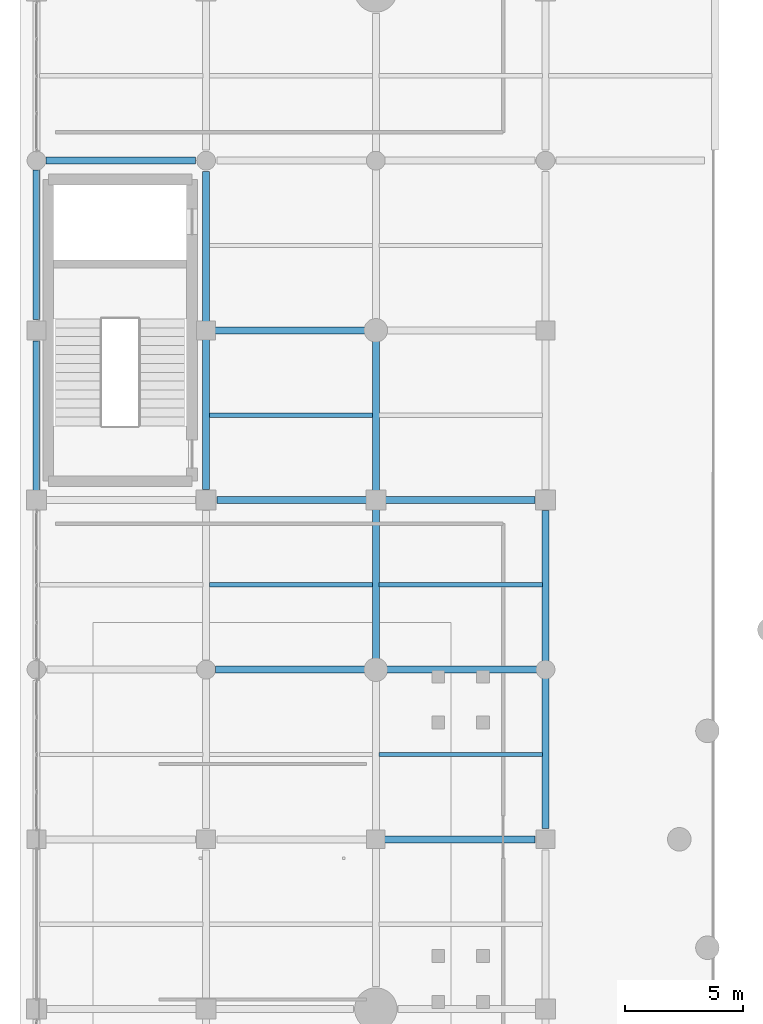
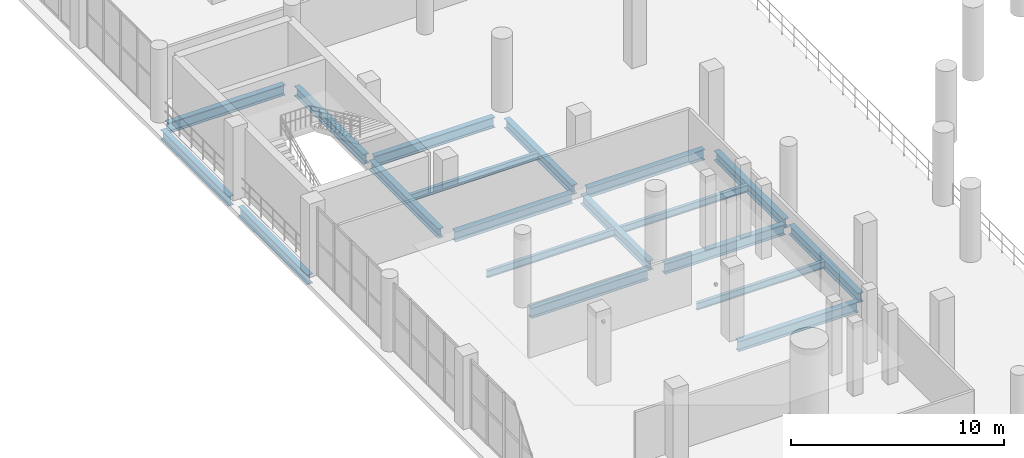
# One storey, part 44 of 153: 19 beams.
"""IFC4 building model written with IfcOpenShell, lengths in metres."""

from ifc_helpers import new_model, si_unit, direction, frame, origin, origin_2d, place, context, subcontext, project, spatial, i_section, extrude, material, material_profile, profile_set, type_object, element, save


model = new_model("IFC4")

# Units and contexts
model_context = context("Model", 3, precision=1e-05, world=origin(), true_north=direction((0.0, 1.0)))
body_context = subcontext(model_context, "Body", "Model", "MODEL_VIEW")
ifc_project = project(units=[si_unit("LENGTHUNIT", "METRE"), si_unit("AREAUNIT", "SQUARE_METRE"), si_unit("VOLUMEUNIT", "CUBIC_METRE"), si_unit("PLANEANGLEUNIT", "RADIAN"), si_unit("MASSUNIT", "GRAM", prefix="KILO")], contexts=[model_context])

# Site, building, storey
site_placement = place(None, origin())
site = spatial("IfcSite", under=ifc_project, at=site_placement, CompositionType="ELEMENT")
building_placement = place(site_placement, origin())
building = spatial("IfcBuilding", under=site, at=building_placement, Name="Qandorah Velis Arena", CompositionType="ELEMENT")
storey_placement = place(building_placement, frame((0.0, 0.0, 5.39990234375)))
storey = spatial("IfcBuildingStorey", under=building, at=storey_placement, Name="L01", CompositionType="ELEMENT", Elevation=5.39990234375)

# Beams
ifc_material = material(Name="Steel S355", Category="steel")
ifc_material_profile_1 = material_profile(ifc_material, i_section(OverallWidth=0.300048828125, OverallDepth=0.550048828125, WebThickness=0.014892578125, FlangeThickness=0.029052734375, FilletRadius=0.027099609375, at=origin_2d()), Name="HEB 550")
ifc_profile_set_1 = profile_set([ifc_material_profile_1], Name="Steel S355")
beam_type_1 = type_object("IfcBeamType", Name="STR-BM-HEB550", PredefinedType="BEAM", material=ifc_profile_set_1)
beam_1_placement = place(storey_placement, frame((0.0, 79.449951171875, -0.635009765625), z_axis=(0.0, 1.0, 0.0), x_axis=(-1.0, 0.0, 0.0)))
element("IfcBeam", 1, at=beam_1_placement, inside=storey, type_object=beam_type_1, Name="Primary floor girder L01 Y-231", PredefinedType="BEAM", context=body_context, shape_type="SweptSolid", body=[
    extrude(i_section(OverallWidth=0.300048828125, OverallDepth=0.550048828125, WebThickness=0.014892578125, FlangeThickness=0.029052734375, FilletRadius=0.027099609375, at=origin_2d()), origin(), (0.0, 0.0, 1.0), 6.5),
])
beam_2_placement = place(storey_placement, frame((0.0, 86.85009765625, -0.635009765625), z_axis=(0.0, 1.0, 0.0), x_axis=(-1.0, 0.0, 0.0)))
element("IfcBeam", 2, at=beam_2_placement, inside=storey, type_object=beam_type_1, Name="Primary floor girder L01 Y-232", PredefinedType="BEAM", context=body_context, shape_type="SweptSolid", body=[
    extrude(i_section(OverallWidth=0.300048828125, OverallDepth=0.550048828125, WebThickness=0.014892578125, FlangeThickness=0.029052734375, FilletRadius=0.027099609375, at=origin_2d()), origin(), (0.0, 0.0, 1.0), 6.349853515625),
])
for number, where, z_axis, x_axis, name in (
    (3, (7.199951171875, 79.64990234375, -0.635009765625), (0.0, 1.0, 0.0), (-1.0, 0.0, 0.0), "Primary floor girder L01 Y-249"),
    (4, (7.199951171875, 86.64990234375, -0.635009765625), (0.0, 1.0, 0.0), (-1.0, 0.0, 0.0), "Primary floor girder L01 Y-250"),
):
    element("IfcBeam", number, at=place(storey_placement, frame(where, z_axis=z_axis, x_axis=x_axis)), inside=storey, type_object=beam_type_1, Name=name, PredefinedType="BEAM", context=body_context, shape_type="SweptSolid", body=[
        extrude(i_section(OverallWidth=0.300048828125, OverallDepth=0.550048828125, WebThickness=0.014892578125, FlangeThickness=0.029052734375, FilletRadius=0.027099609375, at=origin_2d()), origin(), (0.0, 0.0, 1.0), 6.5),
    ])
beam_3_placement = place(storey_placement, frame((14.39990234375, 72.449951171875, -0.635009765625), z_axis=(0.0, 1.0, 0.0), x_axis=(-1.0, 0.0, 0.0)))
element("IfcBeam", 5, at=beam_3_placement, inside=storey, type_object=beam_type_1, Name="Primary floor girder L01 Y-266", PredefinedType="BEAM", context=body_context, shape_type="SweptSolid", body=[
    extrude(i_section(OverallWidth=0.300048828125, OverallDepth=0.550048828125, WebThickness=0.014892578125, FlangeThickness=0.029052734375, FilletRadius=0.027099609375, at=origin_2d()), origin(), (0.0, 0.0, 1.0), 6.35009765625),
])
beam_4_placement = place(storey_placement, frame((14.39990234375, 79.60009765625, -0.635009765625), z_axis=(0.0, 1.0, 0.0), x_axis=(-1.0, 0.0, 0.0)))
element("IfcBeam", 6, at=beam_4_placement, inside=storey, type_object=beam_type_1, Name="Primary floor girder L01 Y-267", PredefinedType="BEAM", context=body_context, shape_type="SweptSolid", body=[
    extrude(i_section(OverallWidth=0.300048828125, OverallDepth=0.550048828125, WebThickness=0.014892578125, FlangeThickness=0.029052734375, FilletRadius=0.027099609375, at=origin_2d()), origin(), (0.0, 0.0, 1.0), 6.349853515625),
])
for number, where, z_axis, x_axis, name in (
    (7, (21.60009765625, 65.25, -0.635009765625), (0.0, 1.0, 0.0), (-1.0, 0.0, 0.0), "Primary floor girder L01 Y-283"),
    (8, (21.60009765625, 72.25, -0.635009765625), (0.0, 1.0, 0.0), (-1.0, 0.0, 0.0), "Primary floor girder L01 Y-284"),
):
    element("IfcBeam", number, at=place(storey_placement, frame(where, z_axis=z_axis, x_axis=x_axis)), inside=storey, type_object=beam_type_1, Name=name, PredefinedType="BEAM", context=body_context, shape_type="SweptSolid", body=[
        extrude(i_section(OverallWidth=0.300048828125, OverallDepth=0.550048828125, WebThickness=0.014892578125, FlangeThickness=0.029052734375, FilletRadius=0.027099609375, at=origin_2d()), origin(), (0.0, 0.0, 1.0), 6.5),
    ])
ifc_material_profile_2 = material_profile(ifc_material, i_section(OverallWidth=0.300048828125, OverallDepth=0.60009765625, WebThickness=0.015380859375, FlangeThickness=0.030029296875, FilletRadius=0.027099609375, at=origin_2d()), Name="HEB 600")
ifc_profile_set_2 = profile_set([ifc_material_profile_2], Name="Steel S355")
beam_type_2 = type_object("IfcBeamType", Name="STR-BM-HEB600", PredefinedType="BEAM", material=ifc_profile_set_2)
beam_5_placement = place(storey_placement, frame((14.64990234375, 64.800048828125, -0.659912109375), z_axis=(1.0, 0.0, 0.0), x_axis=(0.0, 1.0, 0.0)))
element("IfcBeam", 9, at=beam_5_placement, inside=storey, type_object=beam_type_2, Name="Primary floor girder L01 X-111", PredefinedType="BEAM", context=body_context, shape_type="SweptSolid", body=[
    extrude(i_section(OverallWidth=0.300048828125, OverallDepth=0.60009765625, WebThickness=0.015380859375, FlangeThickness=0.030029296875, FilletRadius=0.027099609375, at=origin_2d()), origin(), (0.0, 0.0, 1.0), 6.5),
])
beam_6_placement = place(storey_placement, frame((7.60009765625, 72.0, -0.659912109375), z_axis=(1.0, 0.0, 0.0), x_axis=(0.0, 1.0, 0.0)))
element("IfcBeam", 10, at=beam_6_placement, inside=storey, type_object=beam_type_2, Name="Primary floor girder L01 X-117", PredefinedType="BEAM", context=body_context, shape_type="SweptSolid", body=[
    extrude(i_section(OverallWidth=0.300048828125, OverallDepth=0.60009765625, WebThickness=0.015380859375, FlangeThickness=0.030029296875, FilletRadius=0.027099609375, at=origin_2d()), origin(), (0.0, 0.0, 1.0), 6.349853515625),
])
beam_7_placement = place(storey_placement, frame((14.85009765625, 72.0, -0.659912109375), z_axis=(1.0, 0.0, 0.0), x_axis=(0.0, 1.0, 0.0)))
element("IfcBeam", 11, at=beam_7_placement, inside=storey, type_object=beam_type_2, Name="Primary floor girder L01 X-118", PredefinedType="BEAM", context=body_context, shape_type="SweptSolid", body=[
    extrude(i_section(OverallWidth=0.300048828125, OverallDepth=0.60009765625, WebThickness=0.015380859375, FlangeThickness=0.030029296875, FilletRadius=0.027099609375, at=origin_2d()), origin(), (0.0, 0.0, 1.0), 6.5),
])
beam_8_placement = place(storey_placement, frame((7.64990234375, 79.199951171875, -0.659912109375), z_axis=(1.0, 0.0, 0.0), x_axis=(0.0, 1.0, 0.0)))
element("IfcBeam", 12, at=beam_8_placement, inside=storey, type_object=beam_type_2, Name="Primary floor girder L01 X-124", PredefinedType="BEAM", context=body_context, shape_type="SweptSolid", body=[
    extrude(i_section(OverallWidth=0.300048828125, OverallDepth=0.60009765625, WebThickness=0.015380859375, FlangeThickness=0.030029296875, FilletRadius=0.027099609375, at=origin_2d()), origin(), (0.0, 0.0, 1.0), 6.35009765625),
])
beam_9_placement = place(storey_placement, frame((14.800048828125, 79.199951171875, -0.659912109375), z_axis=(1.0, 0.0, 0.0), x_axis=(0.0, 1.0, 0.0)))
element("IfcBeam", 13, at=beam_9_placement, inside=storey, type_object=beam_type_2, Name="Primary floor girder L01 X-125", PredefinedType="BEAM", context=body_context, shape_type="SweptSolid", body=[
    extrude(i_section(OverallWidth=0.300048828125, OverallDepth=0.60009765625, WebThickness=0.015380859375, FlangeThickness=0.030029296875, FilletRadius=0.027099609375, at=origin_2d()), origin(), (0.0, 0.0, 1.0), 6.349853515625),
])
beam_10_placement = place(storey_placement, frame((7.449951171875, 86.39990234375, -0.659912109375), z_axis=(1.0, 0.0, 0.0), x_axis=(0.0, 1.0, 0.0)))
element("IfcBeam", 14, at=beam_10_placement, inside=storey, type_object=beam_type_2, Name="Primary floor girder L01 X-130", PredefinedType="BEAM", context=body_context, shape_type="SweptSolid", body=[
    extrude(i_section(OverallWidth=0.300048828125, OverallDepth=0.60009765625, WebThickness=0.015380859375, FlangeThickness=0.030029296875, FilletRadius=0.027099609375, at=origin_2d()), origin(), (0.0, 0.0, 1.0), 6.5),
])
beam_11_placement = place(storey_placement, frame((0.39990234375, 93.60009765625, -0.659912109375), z_axis=(1.0, 0.0, 0.0), x_axis=(0.0, 1.0, 0.0)))
element("IfcBeam", 15, at=beam_11_placement, inside=storey, type_object=beam_type_2, Name="Primary floor girder L01 X-137", PredefinedType="BEAM", context=body_context, shape_type="SweptSolid", body=[
    extrude(i_section(OverallWidth=0.300048828125, OverallDepth=0.60009765625, WebThickness=0.015380859375, FlangeThickness=0.030029296875, FilletRadius=0.027099609375, at=origin_2d()), origin(), (0.0, 0.0, 1.0), 6.35009765625),
])
ifc_material_profile_3 = material_profile(ifc_material, i_section(OverallWidth=0.179931640625, OverallDepth=0.39990234375, WebThickness=0.008544921875, FlangeThickness=0.013427734375, FilletRadius=0.02099609375, at=origin_2d()), Name="IPE 400")
ifc_profile_set_3 = profile_set([ifc_material_profile_3], Name="Steel S355")
beam_type_3 = type_object("IfcBeamType", Name="STR-JST-IPE400", PredefinedType="JOIST", material=ifc_profile_set_3)
for number, where, z_axis, x_axis, name in (
    (16, (7.3349609375, 75.60009765625, -0.559814453125), (1.0, 0.0, 0.0), (0.0, 1.0, 0.0), "Secondary floor joist L01-025"),
    (17, (7.3349609375, 82.800048828125, -0.559814453125), (1.0, 0.0, 0.0), (0.0, 1.0, 0.0), "Secondary floor joist L01-026"),
):
    element("IfcBeam", number, at=place(storey_placement, frame(where, z_axis=z_axis, x_axis=x_axis)), inside=storey, type_object=beam_type_3, Name=name, PredefinedType="JOIST", context=body_context, shape_type="SweptSolid", body=[
        extrude(i_section(OverallWidth=0.179931640625, OverallDepth=0.39990234375, WebThickness=0.008544921875, FlangeThickness=0.013427734375, FilletRadius=0.02099609375, at=origin_2d()), origin(), (0.0, 0.0, 1.0), 6.929931640625),
    ])
for number, where, z_axis, x_axis, name in (
    (18, (14.534912109375, 68.39990234375, -0.559814453125), (1.0, 0.0, 0.0), (0.0, 1.0, 0.0), "Secondary floor joist L01-042"),
    (19, (14.534912109375, 75.60009765625, -0.559814453125), (1.0, 0.0, 0.0), (0.0, 1.0, 0.0), "Secondary floor joist L01-043"),
):
    element("IfcBeam", number, at=place(storey_placement, frame(where, z_axis=z_axis, x_axis=x_axis)), inside=storey, type_object=beam_type_3, Name=name, PredefinedType="JOIST", context=body_context, shape_type="SweptSolid", body=[
        extrude(i_section(OverallWidth=0.179931640625, OverallDepth=0.39990234375, WebThickness=0.008544921875, FlangeThickness=0.013427734375, FilletRadius=0.02099609375, at=origin_2d()), origin(), (0.0, 0.0, 1.0), 6.93017578125),
    ])

save(model, "model.ifc")
